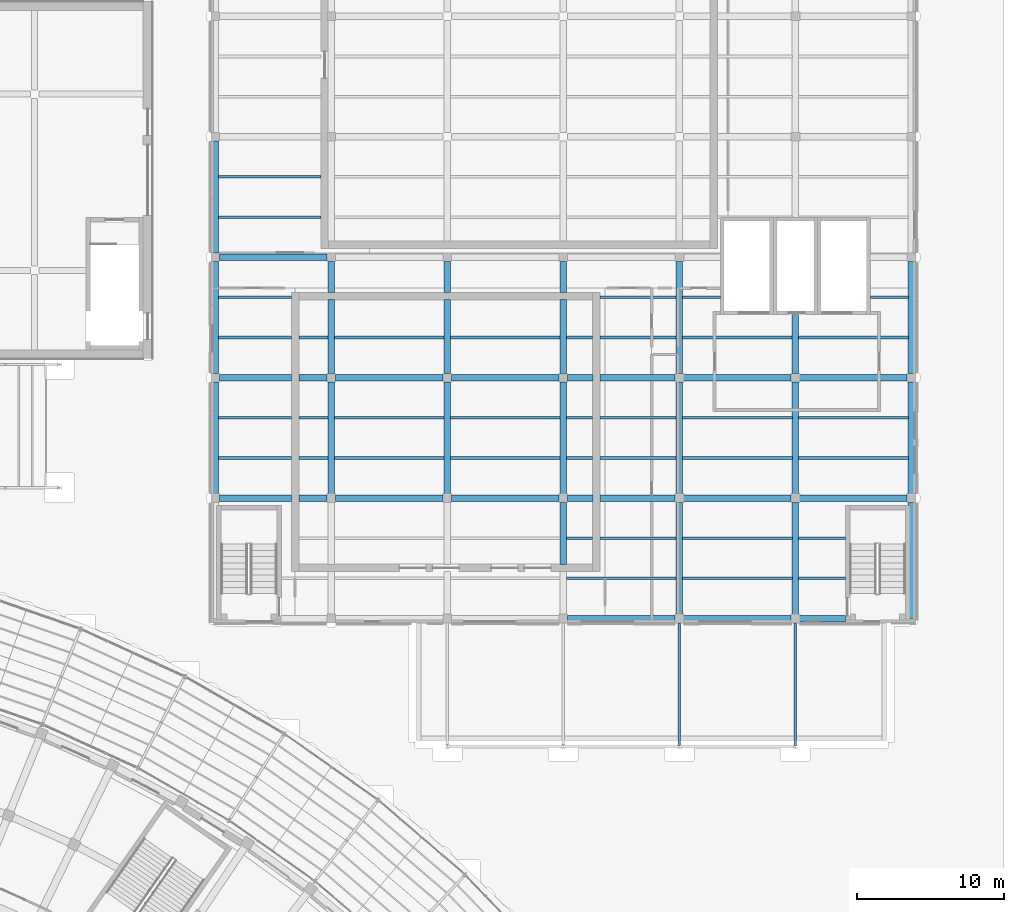
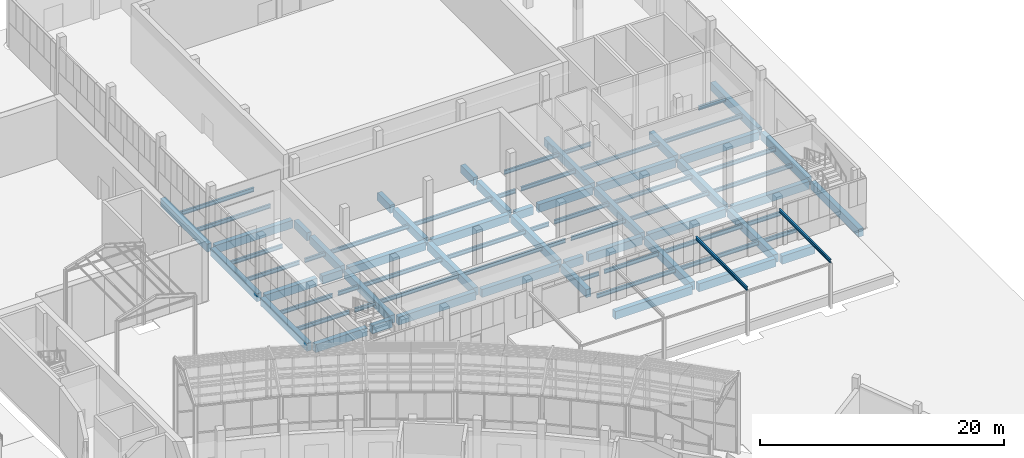
# One storey, part 60 of 155: 81 beams.
"""IFC4 building model written with IfcOpenShell, lengths in metres."""

import ifcopenshell
import ifcopenshell.guid

model = None  # the IFC model being written
_history = None  # IfcOwnerHistory: only IFC2X3 demands one
_inside = {}  # id of a spatial element -> (the spatial element, [elements in it])
_under = {}  # id of a project, library or spatial element -> (it, [spatial elements below it])
_declared = {}  # id of a project -> (the project, [libraries it declares])
_typed = {}  # id of a type object -> (the type object, [elements of that type])
_made_of = {}  # id of a material, layer set ... -> (it, [elements and type objects made of it])


def new_model(schema):
    """Start an empty IFC model of exactly this schema.

    Asked for "IFC4X3", IfcOpenShell would pick the latest addendum, in which some entities
    have other attributes; the version numbers below select the first issue.
    IFC2X3 requires an IfcOwnerHistory on every rooted entity: one is made here for all.
    """
    global model, _history
    if schema == "IFC4X3":
        model = ifcopenshell.file(schema_version=(4, 3, 0, 0))
    else:
        model = ifcopenshell.file(schema=schema)
    _inside.clear()
    _under.clear()
    _declared.clear()
    _typed.clear()
    _made_of.clear()
    _history = None
    if model.schema == "IFC2X3":
        org = make("IfcOrganization", Name="unknown")
        user = make(
            "IfcPersonAndOrganization",
            ThePerson=make("IfcPerson", FamilyName="unknown"),
            TheOrganization=org,
        )
        app = make(
            "IfcApplication",
            ApplicationDeveloper=org,
            Version="unknown",
            ApplicationFullName="unknown",
            ApplicationIdentifier="unknown",
        )
        _history = make(
            "IfcOwnerHistory",
            OwningUser=user,
            OwningApplication=app,
            ChangeAction="ADDED",
            CreationDate=0,
        )
    return model


def make(cls, **values):
    """One entity of the class cls with the attributes given. An attribute that is None is left unset."""
    return model.create_entity(
        cls, **{name: value for name, value in values.items() if value is not None}
    )


def rooted(cls, **values):
    """An entity with a GlobalId (a new one), such as an element, a storey or a relation."""
    return make(cls, GlobalId=ifcopenshell.guid.new(), OwnerHistory=_history, **values)


def si_unit(unit_type, name, prefix=None):
    """IfcSIUnit, for example si_unit("LENGTHUNIT", "METRE", prefix="MILLI")."""
    return make("IfcSIUnit", UnitType=unit_type, Prefix=prefix, Name=name)


def assignment(units):
    """IfcUnitAssignment: the units of a project."""
    return None if units is None else make("IfcUnitAssignment", Units=units)


def point(xyz):
    """IfcCartesianPoint."""
    return None if xyz is None else make("IfcCartesianPoint", Coordinates=xyz)


def direction(xyz):
    """IfcDirection."""
    return None if xyz is None else make("IfcDirection", DirectionRatios=xyz)


def frame(location, z_axis=None, x_axis=None):
    """IfcAxis2Placement3D, a coordinate frame: its origin and axes. An axis left out is left unset."""
    return make(
        "IfcAxis2Placement3D",
        Location=point(location),
        Axis=direction(z_axis),
        RefDirection=direction(x_axis),
    )


def frame_2d(location, x_axis=None):
    """IfcAxis2Placement2D, a coordinate frame in the plane: its origin and x axis."""
    return make(
        "IfcAxis2Placement2D", Location=point(location), RefDirection=direction(x_axis)
    )


def origin():
    """The frame at (0, 0, 0) with its axes left unset."""
    return frame((0.0, 0.0, 0.0))


def origin_2d():
    """The frame at (0, 0) in the plane with its x axis left unset."""
    return frame_2d((0.0, 0.0))


def place(relative_to, where):
    """IfcLocalPlacement: puts the frame where relative to a parent placement (None: the world)."""
    return make(
        "IfcLocalPlacement", PlacementRelTo=relative_to, RelativePlacement=where
    )


def context(
    kind, dimensions, precision=None, world=None, true_north=None, identifier=None
):
    """IfcGeometricRepresentationContext, for example the 3D "Model" context."""
    return make(
        "IfcGeometricRepresentationContext",
        ContextIdentifier=identifier,
        ContextType=kind,
        CoordinateSpaceDimension=dimensions,
        Precision=precision,
        WorldCoordinateSystem=world,
        TrueNorth=true_north,
    )


def subcontext(parent, identifier, kind, view, scale=None):
    """IfcGeometricRepresentationSubContext, for example "Body" below "Model"."""
    return make(
        "IfcGeometricRepresentationSubContext",
        ContextIdentifier=identifier,
        ContextType=kind,
        ParentContext=parent,
        TargetScale=scale,
        TargetView=view,
    )


def project(units=None, contexts=None):
    """IfcProject with its units and contexts."""
    return rooted(
        "IfcProject",
        Name="project",
        RepresentationContexts=contexts,
        UnitsInContext=assignment(units),
    )


def spatial(cls, under=None, at=None, **own):
    """A site, building, storey or space (cls), placed at a placement, below another one or the project."""
    s = rooted(cls, ObjectPlacement=at, **own)
    if under is not None:
        _under.setdefault(under.id(), (under, []))[1].append(s)
    return s


def profile(cls, at=None, kind="AREA", **sizes):
    """A parametric profile (cls). Its sizes go by their IFC names, for example OverallWidth=200.0."""
    return make(cls, ProfileType=kind, Position=at, **sizes)


def rectangle(**sizes):
    """IfcRectangleProfileDef."""
    return profile("IfcRectangleProfileDef", **sizes)


def i_section(**sizes):
    """IfcIShapeProfileDef."""
    return profile("IfcIShapeProfileDef", **sizes)


def extrude(swept, where, along, depth):
    """IfcExtrudedAreaSolid: the profile swept, set in the frame where, extruded along a direction by depth."""
    return make(
        "IfcExtrudedAreaSolid",
        SweptArea=swept,
        Position=where,
        ExtrudedDirection=direction(along),
        Depth=depth,
    )


def shape(context_of_items, identifier, shape_type, items):
    """IfcShapeRepresentation: the items that make up one representation, for example the "Body"."""
    return make(
        "IfcShapeRepresentation",
        ContextOfItems=context_of_items,
        RepresentationIdentifier=identifier,
        RepresentationType=shape_type,
        Items=items,
    )


def material(Name=None, Category=None):
    """IfcMaterial."""
    return make("IfcMaterial", Name=Name, Category=Category)


def material_profile(
    of_material, cross_section, Name=None, Category=None, Priority=None
):
    """IfcMaterialProfile: a cross section and its material."""
    return make(
        "IfcMaterialProfile",
        Name=Name,
        Material=of_material,
        Profile=cross_section,
        Priority=Priority,
        Category=Category,
    )


def profile_set(profiles, Name=None, composite=None):
    """IfcMaterialProfileSet."""
    return make(
        "IfcMaterialProfileSet",
        Name=Name,
        MaterialProfiles=profiles,
        CompositeProfile=composite,
    )


def made_of(thing, what):
    """Note that an element or type object is made of a material, layer set ...; save() writes the relation."""
    if what is not None:
        _made_of.setdefault(what.id(), (what, []))[1].append(thing)
    return thing


def type_object(cls, material=None, **own):
    """A type object (cls), such as IfcWallType, which elements share."""
    return made_of(rooted(cls, **own), material)


def element(
    cls,
    number,
    at=None,
    inside=None,
    cuts=None,
    type_object=None,
    material=None,
    context=None,
    identifier="Body",
    shape_type=None,
    held_by="IfcProductDefinitionShape",
    body=None,
    shapes=None,
    **own,
):
    """One element of the class cls, such as IfcWall. Its Tag is "e" and its number.

    at: its placement. inside: the storey or other place that contains it. cuts: it is an
    opening in that element (IfcRelVoidsElement). A single representation is given by context,
    identifier, shape_type and body (its items); several are given by shapes. held_by: the class
    of the entity that holds the representations. save() writes the other relations.
    """
    e = rooted(cls, Tag="e%d" % number, ObjectPlacement=at, **own)
    if body is not None:
        shapes = [shape(context, identifier, shape_type, body)]
    if shapes is not None:
        e.Representation = make(held_by, Representations=shapes)
    if inside is not None:
        _inside.setdefault(inside.id(), (inside, []))[1].append(e)
    if cuts is not None:
        rooted(
            "IfcRelVoidsElement", RelatingBuildingElement=cuts, RelatedOpeningElement=e
        )
    if type_object is not None:
        _typed.setdefault(type_object.id(), (type_object, []))[1].append(e)
    return made_of(e, material)


def aggregate(whole, parts):
    """IfcRelAggregates: a whole, such as a stair, and the parts it consists of."""
    return rooted("IfcRelAggregates", RelatingObject=whole, RelatedObjects=parts)


def save(model, path):
    """Write the relations noted so far, then the file.

    IfcRelAggregates (storeys below a building ...), IfcRelContainedInSpatialStructure (elements
    in a storey), IfcRelDefinesByType, IfcRelAssociatesMaterial and IfcRelDeclares: one each for
    every whole, place, type object, material and project.
    """
    for whole, parts in _under.values():
        aggregate(whole, parts)
    for where, things in _inside.values():
        rooted(
            "IfcRelContainedInSpatialStructure",
            RelatedElements=things,
            RelatingStructure=where,
        )
    for kind, things in _typed.values():
        rooted("IfcRelDefinesByType", RelatedObjects=things, RelatingType=kind)
    for what, things in _made_of.values():
        rooted("IfcRelAssociatesMaterial", RelatedObjects=things, RelatingMaterial=what)
    for by, libraries in _declared.values():
        rooted("IfcRelDeclares", RelatingContext=by, RelatedDefinitions=libraries)
    model.write(path)


model = new_model("IFC4")

# Units and contexts
model_context = context("Model", 3, precision=1e-05, world=origin(), true_north=direction((0.0, 1.0)))
body_context = subcontext(model_context, "Body", "Model", "MODEL_VIEW")
ifc_project = project(units=[si_unit("LENGTHUNIT", "METRE"), si_unit("AREAUNIT", "SQUARE_METRE"), si_unit("VOLUMEUNIT", "CUBIC_METRE"), si_unit("PLANEANGLEUNIT", "RADIAN"), si_unit("MASSUNIT", "GRAM", prefix="KILO")], contexts=[model_context])

# Site, building, storey
site_placement = place(None, origin())
site = spatial("IfcSite", under=ifc_project, at=site_placement, CompositionType="ELEMENT")
building_placement = place(site_placement, origin())
building = spatial("IfcBuilding", under=site, at=building_placement, Name="Lunette Opera House", CompositionType="ELEMENT")
storey_placement = place(building_placement, origin())
storey = spatial("IfcBuildingStorey", under=building, at=storey_placement, Name="L00", CompositionType="ELEMENT", Elevation=0.0)

# Beams
ifc_material_1 = material(Name="Concrete C35/45", Category="concrete")
ifc_material_profile_1 = material_profile(ifc_material_1, rectangle(XDim=0.449951171875, YDim=0.800048828125, at=origin_2d()), Name="RC BEAM 450X800")
ifc_profile_set_1 = profile_set([ifc_material_profile_1], Name="Concrete C35/45")
beam_type_1 = type_object("IfcBeamType", Name="RC BEAM 450X800", PredefinedType="BEAM", material=ifc_profile_set_1)
beam_1_placement = place(storey_placement, frame((136.300048828125, 86.7900390625, -0.550048828125), z_axis=(0.0, 1.0, 0.0), x_axis=(-1.0, 0.0, 0.0)))
element("IfcBeam", 1, at=beam_1_placement, inside=storey, type_object=beam_type_1, Name="beam-WW-L00-L00-GY01", PredefinedType="BEAM", context=body_context, shape_type="SweptSolid", body=[
    extrude(rectangle(XDim=0.449951171875, YDim=0.800048828125, at=origin_2d()), origin(), (0.0, 0.0, 1.0), 7.619873046875),
])
for number, where, z_axis, x_axis, name in (
    (2, (136.300048828125, 94.989990234375, -0.550048828125), (0.0, 1.0, 0.0), (-1.0, 0.0, 0.0), "beam-WW-L00-L00-GY02"),
    (3, (136.300048828125, 103.18994140625, -0.550048828125), (0.0, 1.0, 0.0), (-1.0, 0.0, 0.0), "beam-WW-L00-L00-GY03"),
):
    element("IfcBeam", number, at=place(storey_placement, frame(where, z_axis=z_axis, x_axis=x_axis)), inside=storey, type_object=beam_type_1, Name=name, PredefinedType="BEAM", context=body_context, shape_type="SweptSolid", body=[
        extrude(rectangle(XDim=0.449951171875, YDim=0.800048828125, at=origin_2d()), origin(), (0.0, 0.0, 1.0), 7.6201171875),
    ])
beam_2_placement = place(storey_placement, frame((144.199951171875, 86.7900390625, -0.550048828125), z_axis=(0.0, 1.0, 0.0), x_axis=(-1.0, 0.0, 0.0)))
element("IfcBeam", 4, at=beam_2_placement, inside=storey, type_object=beam_type_1, Name="beam-WW-L00-L00-GY11", PredefinedType="BEAM", context=body_context, shape_type="SweptSolid", body=[
    extrude(rectangle(XDim=0.449951171875, YDim=0.800048828125, at=origin_2d()), origin(), (0.0, 0.0, 1.0), 7.619873046875),
])
beam_3_placement = place(storey_placement, frame((144.199951171875, 94.989990234375, -0.550048828125), z_axis=(0.0, 1.0, 0.0), x_axis=(-1.0, 0.0, 0.0)))
element("IfcBeam", 5, at=beam_3_placement, inside=storey, type_object=beam_type_1, Name="beam-WW-L00-L00-GY12", PredefinedType="BEAM", context=body_context, shape_type="SweptSolid", body=[
    extrude(rectangle(XDim=0.449951171875, YDim=0.800048828125, at=origin_2d()), origin(), (0.0, 0.0, 1.0), 5.02001953125),
])
beam_4_placement = place(storey_placement, frame((144.199951171875, 100.489990234375, -0.550048828125), z_axis=(0.0, 1.0, 0.0), x_axis=(-1.0, 0.0, 0.0)))
element("IfcBeam", 6, at=beam_4_placement, inside=storey, type_object=beam_type_1, Name="beam-WW-L00-L00-GY12-1", PredefinedType="BEAM", context=body_context, shape_type="SweptSolid", body=[
    extrude(rectangle(XDim=0.449951171875, YDim=0.800048828125, at=origin_2d()), origin(), (0.0, 0.0, 1.0), 2.1201171875),
])
beam_5_placement = place(storey_placement, frame((152.10009765625, 86.7900390625, -0.550048828125), z_axis=(0.0, 1.0, 0.0), x_axis=(-1.0, 0.0, 0.0)))
element("IfcBeam", 7, at=beam_5_placement, inside=storey, type_object=beam_type_1, Name="beam-WW-L00-L00-GY21", PredefinedType="BEAM", context=body_context, shape_type="SweptSolid", body=[
    extrude(rectangle(XDim=0.449951171875, YDim=0.800048828125, at=origin_2d()), origin(), (0.0, 0.0, 1.0), 7.619873046875),
])
beam_6_placement = place(storey_placement, frame((152.10009765625, 94.989990234375, -0.550048828125), z_axis=(0.0, 1.0, 0.0), x_axis=(-1.0, 0.0, 0.0)))
element("IfcBeam", 8, at=beam_6_placement, inside=storey, type_object=beam_type_1, Name="beam-WW-L00-L00-GY22", PredefinedType="BEAM", context=body_context, shape_type="SweptSolid", body=[
    extrude(rectangle(XDim=0.449951171875, YDim=0.800048828125, at=origin_2d()), origin(), (0.0, 0.0, 1.0), 5.02001953125),
])
beam_7_placement = place(storey_placement, frame((152.10009765625, 100.489990234375, -0.550048828125), z_axis=(0.0, 1.0, 0.0), x_axis=(-1.0, 0.0, 0.0)))
element("IfcBeam", 9, at=beam_7_placement, inside=storey, type_object=beam_type_1, Name="beam-WW-L00-L00-GY22-1", PredefinedType="BEAM", context=body_context, shape_type="SweptSolid", body=[
    extrude(rectangle(XDim=0.449951171875, YDim=0.800048828125, at=origin_2d()), origin(), (0.0, 0.0, 1.0), 2.1201171875),
])
beam_8_placement = place(storey_placement, frame((160.0, 81.989990234375, -0.550048828125), z_axis=(0.0, 1.0, 0.0), x_axis=(-1.0, 0.0, 0.0)))
element("IfcBeam", 10, at=beam_8_placement, inside=storey, type_object=beam_type_1, Name="beam-WW-L00-L00-GY30-1", PredefinedType="BEAM", context=body_context, shape_type="SweptSolid", body=[
    extrude(rectangle(XDim=0.449951171875, YDim=0.800048828125, at=origin_2d()), origin(), (0.0, 0.0, 1.0), 4.219970703125),
])
beam_9_placement = place(storey_placement, frame((160.0, 86.7900390625, -0.550048828125), z_axis=(0.0, 1.0, 0.0), x_axis=(-1.0, 0.0, 0.0)))
element("IfcBeam", 11, at=beam_9_placement, inside=storey, type_object=beam_type_1, Name="beam-WW-L00-L00-GY31", PredefinedType="BEAM", context=body_context, shape_type="SweptSolid", body=[
    extrude(rectangle(XDim=0.449951171875, YDim=0.800048828125, at=origin_2d()), origin(), (0.0, 0.0, 1.0), 7.619873046875),
])
beam_10_placement = place(storey_placement, frame((160.0, 94.989990234375, -0.550048828125), z_axis=(0.0, 1.0, 0.0), x_axis=(-1.0, 0.0, 0.0)))
element("IfcBeam", 12, at=beam_10_placement, inside=storey, type_object=beam_type_1, Name="beam-WW-L00-L00-GY32", PredefinedType="BEAM", context=body_context, shape_type="SweptSolid", body=[
    extrude(rectangle(XDim=0.449951171875, YDim=0.800048828125, at=origin_2d()), origin(), (0.0, 0.0, 1.0), 5.02001953125),
])
beam_11_placement = place(storey_placement, frame((160.0, 100.489990234375, -0.550048828125), z_axis=(0.0, 1.0, 0.0), x_axis=(-1.0, 0.0, 0.0)))
element("IfcBeam", 13, at=beam_11_placement, inside=storey, type_object=beam_type_1, Name="beam-WW-L00-L00-GY32-1", PredefinedType="BEAM", context=body_context, shape_type="SweptSolid", body=[
    extrude(rectangle(XDim=0.449951171875, YDim=0.800048828125, at=origin_2d()), origin(), (0.0, 0.0, 1.0), 2.1201171875),
])
for number, where, z_axis, x_axis, name in (
    (14, (167.89990234375, 78.590087890625, -0.550048828125), (0.0, 1.0, 0.0), (-1.0, 0.0, 0.0), "beam-WW-L00-L00-GY40"),
    (15, (167.89990234375, 86.7900390625, -0.550048828125), (0.0, 1.0, 0.0), (-1.0, 0.0, 0.0), "beam-WW-L00-L00-GY41"),
):
    element("IfcBeam", number, at=place(storey_placement, frame(where, z_axis=z_axis, x_axis=x_axis)), inside=storey, type_object=beam_type_1, Name=name, PredefinedType="BEAM", context=body_context, shape_type="SweptSolid", body=[
        extrude(rectangle(XDim=0.449951171875, YDim=0.800048828125, at=origin_2d()), origin(), (0.0, 0.0, 1.0), 7.619873046875),
    ])
beam_12_placement = place(storey_placement, frame((167.89990234375, 94.989990234375, -0.550048828125), z_axis=(0.0, 1.0, 0.0), x_axis=(-1.0, 0.0, 0.0)))
element("IfcBeam", 16, at=beam_12_placement, inside=storey, type_object=beam_type_1, Name="beam-WW-L00-L00-GY42", PredefinedType="BEAM", context=body_context, shape_type="SweptSolid", body=[
    extrude(rectangle(XDim=0.449951171875, YDim=0.800048828125, at=origin_2d()), origin(), (0.0, 0.0, 1.0), 7.6201171875),
])
for number, where, z_axis, x_axis, name in (
    (17, (175.800048828125, 78.590087890625, -0.550048828125), (0.0, 1.0, 0.0), (-1.0, 0.0, 0.0), "beam-WW-L00-L00-GY50"),
    (18, (175.800048828125, 86.7900390625, -0.550048828125), (0.0, 1.0, 0.0), (-1.0, 0.0, 0.0), "beam-WW-L00-L00-GY51"),
):
    element("IfcBeam", number, at=place(storey_placement, frame(where, z_axis=z_axis, x_axis=x_axis)), inside=storey, type_object=beam_type_1, Name=name, PredefinedType="BEAM", context=body_context, shape_type="SweptSolid", body=[
        extrude(rectangle(XDim=0.449951171875, YDim=0.800048828125, at=origin_2d()), origin(), (0.0, 0.0, 1.0), 7.619873046875),
    ])
beam_13_placement = place(storey_placement, frame((175.800048828125, 94.989990234375, -0.550048828125), z_axis=(0.0, 1.0, 0.0), x_axis=(-1.0, 0.0, 0.0)))
element("IfcBeam", 19, at=beam_13_placement, inside=storey, type_object=beam_type_1, Name="beam-WW-L00-L00-GY52", PredefinedType="BEAM", context=body_context, shape_type="SweptSolid", body=[
    extrude(rectangle(XDim=0.449951171875, YDim=0.800048828125, at=origin_2d()), origin(), (0.0, 0.0, 1.0), 4.02001953125),
])
beam_14_placement = place(storey_placement, frame((183.699951171875, 78.300048828125, -0.550048828125), z_axis=(0.0, 1.0, 0.0), x_axis=(-1.0, 0.0, 0.0)))
element("IfcBeam", 20, at=beam_14_placement, inside=storey, type_object=beam_type_1, Name="beam-WW-L00-L00-GY60", PredefinedType="BEAM", context=body_context, shape_type="SweptSolid", body=[
    extrude(rectangle(XDim=0.449951171875, YDim=0.800048828125, at=origin_2d()), origin(), (0.0, 0.0, 1.0), 7.909912109375),
])
beam_15_placement = place(storey_placement, frame((183.699951171875, 86.7900390625, -0.550048828125), z_axis=(0.0, 1.0, 0.0), x_axis=(-1.0, 0.0, 0.0)))
element("IfcBeam", 21, at=beam_15_placement, inside=storey, type_object=beam_type_1, Name="beam-WW-L00-L00-GY61", PredefinedType="BEAM", context=body_context, shape_type="SweptSolid", body=[
    extrude(rectangle(XDim=0.449951171875, YDim=0.800048828125, at=origin_2d()), origin(), (0.0, 0.0, 1.0), 7.619873046875),
])
beam_16_placement = place(storey_placement, frame((183.699951171875, 94.989990234375, -0.550048828125), z_axis=(0.0, 1.0, 0.0), x_axis=(-1.0, 0.0, 0.0)))
element("IfcBeam", 22, at=beam_16_placement, inside=storey, type_object=beam_type_1, Name="beam-WW-L00-L00-GY62", PredefinedType="BEAM", context=body_context, shape_type="SweptSolid", body=[
    extrude(rectangle(XDim=0.449951171875, YDim=0.800048828125, at=origin_2d()), origin(), (0.0, 0.0, 1.0), 7.6201171875),
])
for number, where, z_axis, x_axis, name in (
    (23, (160.2900390625, 78.300048828125, -0.550048828125), (1.0, 0.0, 0.0), (0.0, 1.0, 0.0), "beam-WW-L00-L00-GX30"),
    (24, (168.18994140625, 78.300048828125, -0.550048828125), (1.0, 0.0, 0.0), (0.0, 1.0, 0.0), "beam-WW-L00-L00-GX40"),
):
    element("IfcBeam", number, at=place(storey_placement, frame(where, z_axis=z_axis, x_axis=x_axis)), inside=storey, type_object=beam_type_1, Name=name, PredefinedType="BEAM", context=body_context, shape_type="SweptSolid", body=[
        extrude(rectangle(XDim=0.449951171875, YDim=0.800048828125, at=origin_2d()), origin(), (0.0, 0.0, 1.0), 7.320068359375),
    ])
beam_17_placement = place(storey_placement, frame((176.090087890625, 78.300048828125, -0.550048828125), z_axis=(1.0, 0.0, 0.0), x_axis=(0.0, 1.0, 0.0)))
element("IfcBeam", 25, at=beam_17_placement, inside=storey, type_object=beam_type_1, Name="beam-WW-L00-L00-GX50", PredefinedType="BEAM", context=body_context, shape_type="SweptSolid", body=[
    extrude(rectangle(XDim=0.449951171875, YDim=0.800048828125, at=origin_2d()), origin(), (0.0, 0.0, 1.0), 3.119873046875),
])
beam_18_placement = place(storey_placement, frame((136.590087890625, 86.5, -0.550048828125), z_axis=(1.0, 0.0, 0.0), x_axis=(0.0, 1.0, 0.0)))
element("IfcBeam", 26, at=beam_18_placement, inside=storey, type_object=beam_type_1, Name="beam-WW-L00-L00-GX01", PredefinedType="BEAM", context=body_context, shape_type="SweptSolid", body=[
    extrude(rectangle(XDim=0.449951171875, YDim=0.800048828125, at=origin_2d()), origin(), (0.0, 0.0, 1.0), 4.919921875),
])
beam_19_placement = place(storey_placement, frame((141.989990234375, 86.5, -0.550048828125), z_axis=(1.0, 0.0, 0.0), x_axis=(0.0, 1.0, 0.0)))
element("IfcBeam", 27, at=beam_19_placement, inside=storey, type_object=beam_type_1, Name="beam-WW-L00-L00-GX01-1", PredefinedType="BEAM", context=body_context, shape_type="SweptSolid", body=[
    extrude(rectangle(XDim=0.449951171875, YDim=0.800048828125, at=origin_2d()), origin(), (0.0, 0.0, 1.0), 1.919921875),
])
for number, where, z_axis, x_axis, name in (
    (28, (144.489990234375, 86.5, -0.550048828125), (1.0, 0.0, 0.0), (0.0, 1.0, 0.0), "beam-WW-L00-L00-GX11"),
    (29, (152.389892578125, 86.5, -0.550048828125), (1.0, 0.0, 0.0), (0.0, 1.0, 0.0), "beam-WW-L00-L00-GX21"),
):
    element("IfcBeam", number, at=place(storey_placement, frame(where, z_axis=z_axis, x_axis=x_axis)), inside=storey, type_object=beam_type_1, Name=name, PredefinedType="BEAM", context=body_context, shape_type="SweptSolid", body=[
        extrude(rectangle(XDim=0.449951171875, YDim=0.800048828125, at=origin_2d()), origin(), (0.0, 0.0, 1.0), 7.320068359375),
    ])
beam_20_placement = place(storey_placement, frame((160.2900390625, 86.5, -0.550048828125), z_axis=(1.0, 0.0, 0.0), x_axis=(0.0, 1.0, 0.0)))
element("IfcBeam", 30, at=beam_20_placement, inside=storey, type_object=beam_type_1, Name="beam-WW-L00-L00-GX31", PredefinedType="BEAM", context=body_context, shape_type="SweptSolid", body=[
    extrude(rectangle(XDim=0.449951171875, YDim=0.800048828125, at=origin_2d()), origin(), (0.0, 0.0, 1.0), 1.719970703125),
])
beam_21_placement = place(storey_placement, frame((162.489990234375, 86.5, -0.550048828125), z_axis=(1.0, 0.0, 0.0), x_axis=(0.0, 1.0, 0.0)))
element("IfcBeam", 31, at=beam_21_placement, inside=storey, type_object=beam_type_1, Name="beam-WW-L00-L00-GX31-1", PredefinedType="BEAM", context=body_context, shape_type="SweptSolid", body=[
    extrude(rectangle(XDim=0.449951171875, YDim=0.800048828125, at=origin_2d()), origin(), (0.0, 0.0, 1.0), 5.1201171875),
])
beam_22_placement = place(storey_placement, frame((168.18994140625, 86.5, -0.550048828125), z_axis=(1.0, 0.0, 0.0), x_axis=(0.0, 1.0, 0.0)))
element("IfcBeam", 32, at=beam_22_placement, inside=storey, type_object=beam_type_1, Name="beam-WW-L00-L00-GX41", PredefinedType="BEAM", context=body_context, shape_type="SweptSolid", body=[
    extrude(rectangle(XDim=0.449951171875, YDim=0.800048828125, at=origin_2d()), origin(), (0.0, 0.0, 1.0), 7.320068359375),
])
beam_23_placement = place(storey_placement, frame((176.090087890625, 86.5, -0.550048828125), z_axis=(1.0, 0.0, 0.0), x_axis=(0.0, 1.0, 0.0)))
element("IfcBeam", 33, at=beam_23_placement, inside=storey, type_object=beam_type_1, Name="beam-WW-L00-L00-GX51", PredefinedType="BEAM", context=body_context, shape_type="SweptSolid", body=[
    extrude(rectangle(XDim=0.449951171875, YDim=0.800048828125, at=origin_2d()), origin(), (0.0, 0.0, 1.0), 7.31982421875),
])
beam_24_placement = place(storey_placement, frame((136.590087890625, 94.699951171875, -0.550048828125), z_axis=(1.0, 0.0, 0.0), x_axis=(0.0, 1.0, 0.0)))
element("IfcBeam", 34, at=beam_24_placement, inside=storey, type_object=beam_type_1, Name="beam-WW-L00-L00-GX02", PredefinedType="BEAM", context=body_context, shape_type="SweptSolid", body=[
    extrude(rectangle(XDim=0.449951171875, YDim=0.800048828125, at=origin_2d()), origin(), (0.0, 0.0, 1.0), 4.919921875),
])
beam_25_placement = place(storey_placement, frame((141.989990234375, 94.699951171875, -0.550048828125), z_axis=(1.0, 0.0, 0.0), x_axis=(0.0, 1.0, 0.0)))
element("IfcBeam", 35, at=beam_25_placement, inside=storey, type_object=beam_type_1, Name="beam-WW-L00-L00-GX02-1", PredefinedType="BEAM", context=body_context, shape_type="SweptSolid", body=[
    extrude(rectangle(XDim=0.449951171875, YDim=0.800048828125, at=origin_2d()), origin(), (0.0, 0.0, 1.0), 1.919921875),
])
for number, where, z_axis, x_axis, name in (
    (36, (144.489990234375, 94.699951171875, -0.550048828125), (1.0, 0.0, 0.0), (0.0, 1.0, 0.0), "beam-WW-L00-L00-GX12"),
    (37, (152.389892578125, 94.699951171875, -0.550048828125), (1.0, 0.0, 0.0), (0.0, 1.0, 0.0), "beam-WW-L00-L00-GX22"),
):
    element("IfcBeam", number, at=place(storey_placement, frame(where, z_axis=z_axis, x_axis=x_axis)), inside=storey, type_object=beam_type_1, Name=name, PredefinedType="BEAM", context=body_context, shape_type="SweptSolid", body=[
        extrude(rectangle(XDim=0.449951171875, YDim=0.800048828125, at=origin_2d()), origin(), (0.0, 0.0, 1.0), 7.320068359375),
    ])
beam_26_placement = place(storey_placement, frame((160.2900390625, 94.699951171875, -0.550048828125), z_axis=(1.0, 0.0, 0.0), x_axis=(0.0, 1.0, 0.0)))
element("IfcBeam", 38, at=beam_26_placement, inside=storey, type_object=beam_type_1, Name="beam-WW-L00-L00-GX32", PredefinedType="BEAM", context=body_context, shape_type="SweptSolid", body=[
    extrude(rectangle(XDim=0.449951171875, YDim=0.800048828125, at=origin_2d()), origin(), (0.0, 0.0, 1.0), 1.719970703125),
])
beam_27_placement = place(storey_placement, frame((162.489990234375, 94.699951171875, -0.550048828125), z_axis=(1.0, 0.0, 0.0), x_axis=(0.0, 1.0, 0.0)))
element("IfcBeam", 39, at=beam_27_placement, inside=storey, type_object=beam_type_1, Name="beam-WW-L00-L00-GX32-1", PredefinedType="BEAM", context=body_context, shape_type="SweptSolid", body=[
    extrude(rectangle(XDim=0.449951171875, YDim=0.800048828125, at=origin_2d()), origin(), (0.0, 0.0, 1.0), 5.1201171875),
])
beam_28_placement = place(storey_placement, frame((168.18994140625, 94.699951171875, -0.550048828125), z_axis=(1.0, 0.0, 0.0), x_axis=(0.0, 1.0, 0.0)))
element("IfcBeam", 40, at=beam_28_placement, inside=storey, type_object=beam_type_1, Name="beam-WW-L00-L00-GX42", PredefinedType="BEAM", context=body_context, shape_type="SweptSolid", body=[
    extrude(rectangle(XDim=0.449951171875, YDim=0.800048828125, at=origin_2d()), origin(), (0.0, 0.0, 1.0), 7.320068359375),
])
for number, where, z_axis, x_axis, name in (
    (41, (176.090087890625, 94.699951171875, -0.550048828125), (1.0, 0.0, 0.0), (0.0, 1.0, 0.0), "beam-WW-L00-L00-GX52"),
    (42, (136.590087890625, 102.89990234375, -0.550048828125), (1.0, 0.0, 0.0), (0.0, 1.0, 0.0), "beam-WW-L00-L00-GX03"),
):
    element("IfcBeam", number, at=place(storey_placement, frame(where, z_axis=z_axis, x_axis=x_axis)), inside=storey, type_object=beam_type_1, Name=name, PredefinedType="BEAM", context=body_context, shape_type="SweptSolid", body=[
        extrude(rectangle(XDim=0.449951171875, YDim=0.800048828125, at=origin_2d()), origin(), (0.0, 0.0, 1.0), 7.31982421875),
    ])
ifc_material_2 = material(Name="Steel S355", Category="steel")
ifc_material_profile_2 = material_profile(ifc_material_2, i_section(OverallWidth=0.159912109375, OverallDepth=0.330078125, WebThickness=0.007568359375, FlangeThickness=0.011474609375, FilletRadius=0.01806640625, at=origin_2d()), Name="IPE 330")
ifc_profile_set_2 = profile_set([ifc_material_profile_2], Name="Steel S355")
beam_type_2 = type_object("IfcBeamType", Name="STEEL BEAM IPE 330", PredefinedType="BEAM", material=ifc_profile_set_2)
for number, where, z_axis, x_axis, name in (
    (43, (167.89990234375, 69.610107421875, 4.635009765625), (0.0, 1.0, 0.0), (-1.0, 0.0, 0.0), "beam-WW-L00-DCB3"),
    (44, (175.800048828125, 69.610107421875, 4.635009765625), (0.0, 1.0, 0.0), (-1.0, 0.0, 0.0), "beam-WW-L00-DCB4"),
):
    element("IfcBeam", number, at=place(storey_placement, frame(where, z_axis=z_axis, x_axis=x_axis)), inside=storey, type_object=beam_type_2, Name=name, PredefinedType="BEAM", context=body_context, shape_type="SweptSolid", body=[
        extrude(i_section(OverallWidth=0.159912109375, OverallDepth=0.330078125, WebThickness=0.007568359375, FlangeThickness=0.011474609375, FilletRadius=0.01806640625, at=origin_2d()), origin(), (0.0, 0.0, 1.0), 8.39990234375),
    ])
ifc_material_3 = material(Name="Steel S355", Category="steel")
ifc_material_profile_3 = material_profile(ifc_material_3, i_section(OverallWidth=0.179931640625, OverallDepth=0.39990234375, WebThickness=0.008544921875, FlangeThickness=0.013427734375, FilletRadius=0.02099609375, at=origin_2d()), Name="IPE 400")
ifc_profile_set_3 = profile_set([ifc_material_profile_3], Name="Steel S355")
beam_type_3 = type_object("IfcBeamType", Name="STEEL BEAM IPE 400", PredefinedType="BEAM", material=ifc_profile_set_3)
beam_29_placement = place(storey_placement, frame((136.514892578125, 89.23291015625, -0.35009765625), z_axis=(1.0, 0.0, 0.0), x_axis=(0.0, 1.0, 0.0)))
element("IfcBeam", 45, at=beam_29_placement, inside=storey, type_object=beam_type_3, Name="beam-WW-L00-L00-SX011", PredefinedType="BEAM", context=body_context, shape_type="SweptSolid", body=[
    extrude(i_section(OverallWidth=0.179931640625, OverallDepth=0.39990234375, WebThickness=0.008544921875, FlangeThickness=0.013427734375, FilletRadius=0.02099609375, at=origin_2d()), origin(), (0.0, 0.0, 1.0), 4.985107421875),
])
beam_30_placement = place(storey_placement, frame((142.0, 89.23291015625, -0.35009765625), z_axis=(1.0, 0.0, 0.0), x_axis=(0.0, 1.0, 0.0)))
element("IfcBeam", 46, at=beam_30_placement, inside=storey, type_object=beam_type_3, Name="beam-WW-L00-L00-SX011-01", PredefinedType="BEAM", context=body_context, shape_type="SweptSolid", body=[
    extrude(i_section(OverallWidth=0.179931640625, OverallDepth=0.39990234375, WebThickness=0.008544921875, FlangeThickness=0.013427734375, FilletRadius=0.02099609375, at=origin_2d()), origin(), (0.0, 0.0, 1.0), 1.985107421875),
])
beam_31_placement = place(storey_placement, frame((136.514892578125, 91.967041015625, -0.35009765625), z_axis=(1.0, 0.0, 0.0), x_axis=(0.0, 1.0, 0.0)))
element("IfcBeam", 47, at=beam_31_placement, inside=storey, type_object=beam_type_3, Name="beam-WW-L00-L00-SX012", PredefinedType="BEAM", context=body_context, shape_type="SweptSolid", body=[
    extrude(i_section(OverallWidth=0.179931640625, OverallDepth=0.39990234375, WebThickness=0.008544921875, FlangeThickness=0.013427734375, FilletRadius=0.02099609375, at=origin_2d()), origin(), (0.0, 0.0, 1.0), 4.985107421875),
])
beam_32_placement = place(storey_placement, frame((142.0, 91.967041015625, -0.35009765625), z_axis=(1.0, 0.0, 0.0), x_axis=(0.0, 1.0, 0.0)))
element("IfcBeam", 48, at=beam_32_placement, inside=storey, type_object=beam_type_3, Name="beam-WW-L00-L00-SX012-01", PredefinedType="BEAM", context=body_context, shape_type="SweptSolid", body=[
    extrude(i_section(OverallWidth=0.179931640625, OverallDepth=0.39990234375, WebThickness=0.008544921875, FlangeThickness=0.013427734375, FilletRadius=0.02099609375, at=origin_2d()), origin(), (0.0, 0.0, 1.0), 1.985107421875),
])
beam_33_placement = place(storey_placement, frame((136.514892578125, 97.43310546875, -0.35009765625), z_axis=(1.0, 0.0, 0.0), x_axis=(0.0, 1.0, 0.0)))
element("IfcBeam", 49, at=beam_33_placement, inside=storey, type_object=beam_type_3, Name="beam-WW-L00-L00-SX021", PredefinedType="BEAM", context=body_context, shape_type="SweptSolid", body=[
    extrude(i_section(OverallWidth=0.179931640625, OverallDepth=0.39990234375, WebThickness=0.008544921875, FlangeThickness=0.013427734375, FilletRadius=0.02099609375, at=origin_2d()), origin(), (0.0, 0.0, 1.0), 4.985107421875),
])
beam_34_placement = place(storey_placement, frame((142.0, 97.43310546875, -0.35009765625), z_axis=(1.0, 0.0, 0.0), x_axis=(0.0, 1.0, 0.0)))
element("IfcBeam", 50, at=beam_34_placement, inside=storey, type_object=beam_type_3, Name="beam-WW-L00-L00-SX021-01", PredefinedType="BEAM", context=body_context, shape_type="SweptSolid", body=[
    extrude(i_section(OverallWidth=0.179931640625, OverallDepth=0.39990234375, WebThickness=0.008544921875, FlangeThickness=0.013427734375, FilletRadius=0.02099609375, at=origin_2d()), origin(), (0.0, 0.0, 1.0), 1.985107421875),
])
beam_35_placement = place(storey_placement, frame((136.514892578125, 100.1669921875, -0.35009765625), z_axis=(1.0, 0.0, 0.0), x_axis=(0.0, 1.0, 0.0)))
element("IfcBeam", 51, at=beam_35_placement, inside=storey, type_object=beam_type_3, Name="beam-WW-L00-L00-SX022", PredefinedType="BEAM", context=body_context, shape_type="SweptSolid", body=[
    extrude(i_section(OverallWidth=0.179931640625, OverallDepth=0.39990234375, WebThickness=0.008544921875, FlangeThickness=0.013427734375, FilletRadius=0.02099609375, at=origin_2d()), origin(), (0.0, 0.0, 1.0), 4.985107421875),
])
for number, where, z_axis, x_axis, name in (
    (52, (136.514892578125, 105.633056640625, -0.35009765625), (1.0, 0.0, 0.0), (0.0, 1.0, 0.0), "beam-WW-L00-L00-SX031"),
    (53, (136.514892578125, 108.366943359375, -0.35009765625), (1.0, 0.0, 0.0), (0.0, 1.0, 0.0), "beam-WW-L00-L00-SX032"),
):
    element("IfcBeam", number, at=place(storey_placement, frame(where, z_axis=z_axis, x_axis=x_axis)), inside=storey, type_object=beam_type_3, Name=name, PredefinedType="BEAM", context=body_context, shape_type="SweptSolid", body=[
        extrude(i_section(OverallWidth=0.179931640625, OverallDepth=0.39990234375, WebThickness=0.008544921875, FlangeThickness=0.013427734375, FilletRadius=0.02099609375, at=origin_2d()), origin(), (0.0, 0.0, 1.0), 6.985107421875),
    ])
for number, where, z_axis, x_axis, name in (
    (54, (144.4150390625, 89.23291015625, -0.35009765625), (1.0, 0.0, 0.0), (0.0, 1.0, 0.0), "beam-WW-L00-L00-SX111"),
    (55, (144.4150390625, 91.967041015625, -0.35009765625), (1.0, 0.0, 0.0), (0.0, 1.0, 0.0), "beam-WW-L00-L00-SX112"),
    (56, (144.4150390625, 97.43310546875, -0.35009765625), (1.0, 0.0, 0.0), (0.0, 1.0, 0.0), "beam-WW-L00-L00-SX121"),
    (57, (152.31494140625, 89.23291015625, -0.35009765625), (1.0, 0.0, 0.0), (0.0, 1.0, 0.0), "beam-WW-L00-L00-SX211"),
    (58, (152.31494140625, 91.967041015625, -0.35009765625), (1.0, 0.0, 0.0), (0.0, 1.0, 0.0), "beam-WW-L00-L00-SX212"),
    (59, (152.31494140625, 97.43310546875, -0.35009765625), (1.0, 0.0, 0.0), (0.0, 1.0, 0.0), "beam-WW-L00-L00-SX221"),
    (60, (160.215087890625, 81.032958984375, -0.35009765625), (1.0, 0.0, 0.0), (0.0, 1.0, 0.0), "beam-WW-L00-L00-SX301"),
):
    element("IfcBeam", number, at=place(storey_placement, frame(where, z_axis=z_axis, x_axis=x_axis)), inside=storey, type_object=beam_type_3, Name=name, PredefinedType="BEAM", context=body_context, shape_type="SweptSolid", body=[
        extrude(i_section(OverallWidth=0.179931640625, OverallDepth=0.39990234375, WebThickness=0.008544921875, FlangeThickness=0.013427734375, FilletRadius=0.02099609375, at=origin_2d()), origin(), (0.0, 0.0, 1.0), 7.469970703125),
    ])
beam_36_placement = place(storey_placement, frame((160.215087890625, 83.76708984375, -0.35009765625), z_axis=(1.0, 0.0, 0.0), x_axis=(0.0, 1.0, 0.0)))
element("IfcBeam", 61, at=beam_36_placement, inside=storey, type_object=beam_type_3, Name="beam-WW-L00-L00-SX302", PredefinedType="BEAM", context=body_context, shape_type="SweptSolid", body=[
    extrude(i_section(OverallWidth=0.179931640625, OverallDepth=0.39990234375, WebThickness=0.008544921875, FlangeThickness=0.013427734375, FilletRadius=0.02099609375, at=origin_2d()), origin(), (0.0, 0.0, 1.0), 1.784912109375),
])
beam_37_placement = place(storey_placement, frame((162.5, 83.76708984375, -0.35009765625), z_axis=(1.0, 0.0, 0.0), x_axis=(0.0, 1.0, 0.0)))
element("IfcBeam", 62, at=beam_37_placement, inside=storey, type_object=beam_type_3, Name="beam-WW-L00-L00-SX302-01", PredefinedType="BEAM", context=body_context, shape_type="SweptSolid", body=[
    extrude(i_section(OverallWidth=0.179931640625, OverallDepth=0.39990234375, WebThickness=0.008544921875, FlangeThickness=0.013427734375, FilletRadius=0.02099609375, at=origin_2d()), origin(), (0.0, 0.0, 1.0), 5.18505859375),
])
beam_38_placement = place(storey_placement, frame((160.215087890625, 89.23291015625, -0.35009765625), z_axis=(1.0, 0.0, 0.0), x_axis=(0.0, 1.0, 0.0)))
element("IfcBeam", 63, at=beam_38_placement, inside=storey, type_object=beam_type_3, Name="beam-WW-L00-L00-SX311", PredefinedType="BEAM", context=body_context, shape_type="SweptSolid", body=[
    extrude(i_section(OverallWidth=0.179931640625, OverallDepth=0.39990234375, WebThickness=0.008544921875, FlangeThickness=0.013427734375, FilletRadius=0.02099609375, at=origin_2d()), origin(), (0.0, 0.0, 1.0), 1.784912109375),
])
beam_39_placement = place(storey_placement, frame((162.5, 89.23291015625, -0.35009765625), z_axis=(1.0, 0.0, 0.0), x_axis=(0.0, 1.0, 0.0)))
element("IfcBeam", 64, at=beam_39_placement, inside=storey, type_object=beam_type_3, Name="beam-WW-L00-L00-SX311-01", PredefinedType="BEAM", context=body_context, shape_type="SweptSolid", body=[
    extrude(i_section(OverallWidth=0.179931640625, OverallDepth=0.39990234375, WebThickness=0.008544921875, FlangeThickness=0.013427734375, FilletRadius=0.02099609375, at=origin_2d()), origin(), (0.0, 0.0, 1.0), 5.18505859375),
])
beam_40_placement = place(storey_placement, frame((160.215087890625, 91.967041015625, -0.35009765625), z_axis=(1.0, 0.0, 0.0), x_axis=(0.0, 1.0, 0.0)))
element("IfcBeam", 65, at=beam_40_placement, inside=storey, type_object=beam_type_3, Name="beam-WW-L00-L00-SX312", PredefinedType="BEAM", context=body_context, shape_type="SweptSolid", body=[
    extrude(i_section(OverallWidth=0.179931640625, OverallDepth=0.39990234375, WebThickness=0.008544921875, FlangeThickness=0.013427734375, FilletRadius=0.02099609375, at=origin_2d()), origin(), (0.0, 0.0, 1.0), 1.784912109375),
])
beam_41_placement = place(storey_placement, frame((162.5, 91.967041015625, -0.35009765625), z_axis=(1.0, 0.0, 0.0), x_axis=(0.0, 1.0, 0.0)))
element("IfcBeam", 66, at=beam_41_placement, inside=storey, type_object=beam_type_3, Name="beam-WW-L00-L00-SX312-01", PredefinedType="BEAM", context=body_context, shape_type="SweptSolid", body=[
    extrude(i_section(OverallWidth=0.179931640625, OverallDepth=0.39990234375, WebThickness=0.008544921875, FlangeThickness=0.013427734375, FilletRadius=0.02099609375, at=origin_2d()), origin(), (0.0, 0.0, 1.0), 5.18505859375),
])
beam_42_placement = place(storey_placement, frame((160.215087890625, 97.43310546875, -0.35009765625), z_axis=(1.0, 0.0, 0.0), x_axis=(0.0, 1.0, 0.0)))
element("IfcBeam", 67, at=beam_42_placement, inside=storey, type_object=beam_type_3, Name="beam-WW-L00-L00-SX321", PredefinedType="BEAM", context=body_context, shape_type="SweptSolid", body=[
    extrude(i_section(OverallWidth=0.179931640625, OverallDepth=0.39990234375, WebThickness=0.008544921875, FlangeThickness=0.013427734375, FilletRadius=0.02099609375, at=origin_2d()), origin(), (0.0, 0.0, 1.0), 1.784912109375),
])
for number, where, z_axis, x_axis, name in (
    (68, (162.5, 97.43310546875, -0.35009765625), (1.0, 0.0, 0.0), (0.0, 1.0, 0.0), "beam-WW-L00-L00-SX321-01"),
    (69, (162.5, 100.1669921875, -0.35009765625), (1.0, 0.0, 0.0), (0.0, 1.0, 0.0), "beam-WW-L00-L00-SX322"),
):
    element("IfcBeam", number, at=place(storey_placement, frame(where, z_axis=z_axis, x_axis=x_axis)), inside=storey, type_object=beam_type_3, Name=name, PredefinedType="BEAM", context=body_context, shape_type="SweptSolid", body=[
        extrude(i_section(OverallWidth=0.179931640625, OverallDepth=0.39990234375, WebThickness=0.008544921875, FlangeThickness=0.013427734375, FilletRadius=0.02099609375, at=origin_2d()), origin(), (0.0, 0.0, 1.0), 5.18505859375),
    ])
for number, where, z_axis, x_axis, name in (
    (70, (168.114990234375, 81.032958984375, -0.35009765625), (1.0, 0.0, 0.0), (0.0, 1.0, 0.0), "beam-WW-L00-L00-SX401"),
    (71, (168.114990234375, 83.76708984375, -0.35009765625), (1.0, 0.0, 0.0), (0.0, 1.0, 0.0), "beam-WW-L00-L00-SX402"),
    (72, (168.114990234375, 89.23291015625, -0.35009765625), (1.0, 0.0, 0.0), (0.0, 1.0, 0.0), "beam-WW-L00-L00-SX411"),
    (73, (168.114990234375, 91.967041015625, -0.35009765625), (1.0, 0.0, 0.0), (0.0, 1.0, 0.0), "beam-WW-L00-L00-SX412"),
    (74, (168.114990234375, 97.43310546875, -0.35009765625), (1.0, 0.0, 0.0), (0.0, 1.0, 0.0), "beam-WW-L00-L00-SX421"),
):
    element("IfcBeam", number, at=place(storey_placement, frame(where, z_axis=z_axis, x_axis=x_axis)), inside=storey, type_object=beam_type_3, Name=name, PredefinedType="BEAM", context=body_context, shape_type="SweptSolid", body=[
        extrude(i_section(OverallWidth=0.179931640625, OverallDepth=0.39990234375, WebThickness=0.008544921875, FlangeThickness=0.013427734375, FilletRadius=0.02099609375, at=origin_2d()), origin(), (0.0, 0.0, 1.0), 7.469970703125),
    ])
beam_43_placement = place(storey_placement, frame((168.114990234375, 100.1669921875, -0.35009765625), z_axis=(1.0, 0.0, 0.0), x_axis=(0.0, 1.0, 0.0)))
element("IfcBeam", 75, at=beam_43_placement, inside=storey, type_object=beam_type_3, Name="beam-WW-L00-L00-SX422", PredefinedType="BEAM", context=body_context, shape_type="SweptSolid", body=[
    extrude(i_section(OverallWidth=0.179931640625, OverallDepth=0.39990234375, WebThickness=0.008544921875, FlangeThickness=0.013427734375, FilletRadius=0.02099609375, at=origin_2d()), origin(), (0.0, 0.0, 1.0), 2.5849609375),
])
for number, where, z_axis, x_axis, name in (
    (76, (176.014892578125, 81.032958984375, -0.35009765625), (1.0, 0.0, 0.0), (0.0, 1.0, 0.0), "beam-WW-L00-L00-SX501"),
    (77, (176.014892578125, 83.76708984375, -0.35009765625), (1.0, 0.0, 0.0), (0.0, 1.0, 0.0), "beam-WW-L00-L00-SX502"),
):
    element("IfcBeam", number, at=place(storey_placement, frame(where, z_axis=z_axis, x_axis=x_axis)), inside=storey, type_object=beam_type_3, Name=name, PredefinedType="BEAM", context=body_context, shape_type="SweptSolid", body=[
        extrude(i_section(OverallWidth=0.179931640625, OverallDepth=0.39990234375, WebThickness=0.008544921875, FlangeThickness=0.013427734375, FilletRadius=0.02099609375, at=origin_2d()), origin(), (0.0, 0.0, 1.0), 3.18505859375),
    ])
for number, where, z_axis, x_axis, name in (
    (78, (176.014892578125, 89.23291015625, -0.35009765625), (1.0, 0.0, 0.0), (0.0, 1.0, 0.0), "beam-WW-L00-L00-SX511"),
    (79, (176.014892578125, 91.967041015625, -0.35009765625), (1.0, 0.0, 0.0), (0.0, 1.0, 0.0), "beam-WW-L00-L00-SX512"),
    (80, (176.014892578125, 97.43310546875, -0.35009765625), (1.0, 0.0, 0.0), (0.0, 1.0, 0.0), "beam-WW-L00-L00-SX521"),
):
    element("IfcBeam", number, at=place(storey_placement, frame(where, z_axis=z_axis, x_axis=x_axis)), inside=storey, type_object=beam_type_3, Name=name, PredefinedType="BEAM", context=body_context, shape_type="SweptSolid", body=[
        extrude(i_section(OverallWidth=0.179931640625, OverallDepth=0.39990234375, WebThickness=0.008544921875, FlangeThickness=0.013427734375, FilletRadius=0.02099609375, at=origin_2d()), origin(), (0.0, 0.0, 1.0), 7.47021484375),
    ])
beam_44_placement = place(storey_placement, frame((180.89990234375, 100.1669921875, -0.35009765625), z_axis=(1.0, 0.0, 0.0), x_axis=(0.0, 1.0, 0.0)))
element("IfcBeam", 81, at=beam_44_placement, inside=storey, type_object=beam_type_3, Name="beam-WW-L00-L00-SX522", PredefinedType="BEAM", context=body_context, shape_type="SweptSolid", body=[
    extrude(i_section(OverallWidth=0.179931640625, OverallDepth=0.39990234375, WebThickness=0.008544921875, FlangeThickness=0.013427734375, FilletRadius=0.02099609375, at=origin_2d()), origin(), (0.0, 0.0, 1.0), 2.585205078125),
])

save(model, "model.ifc")
